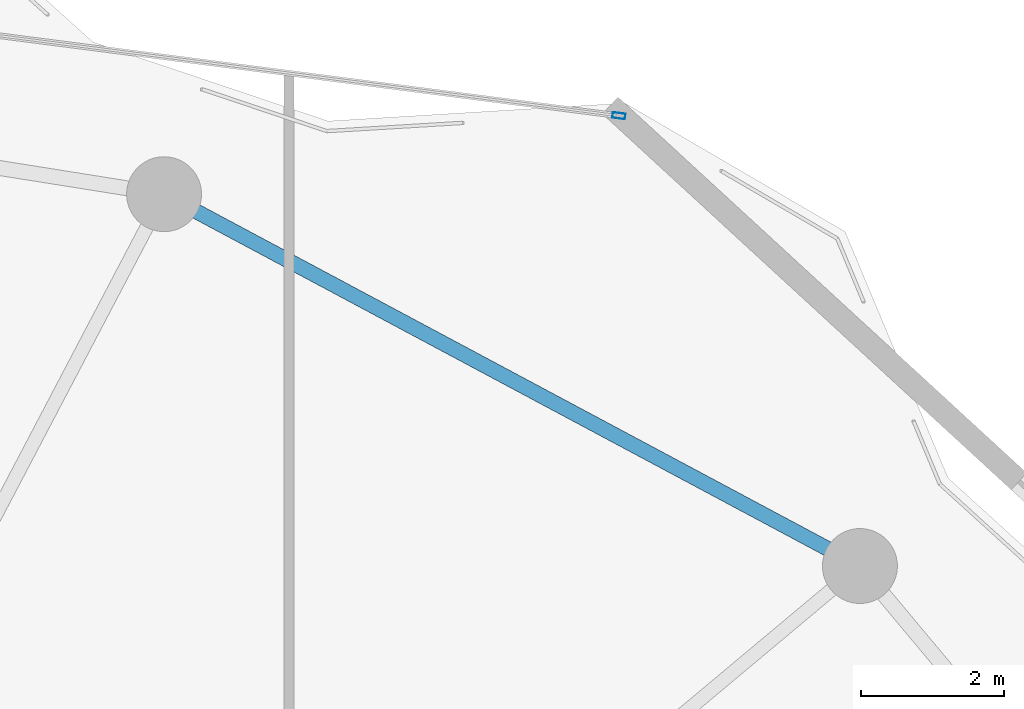
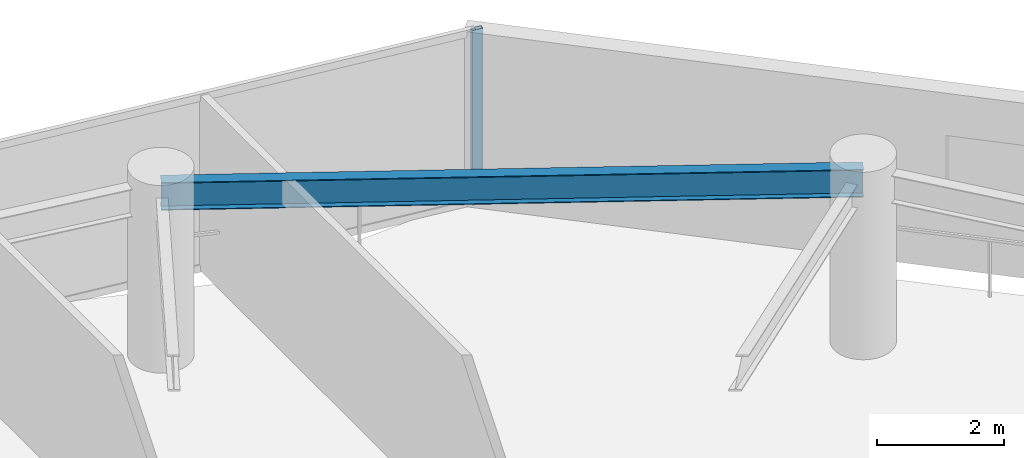
# One storey, part 23 of 31: 1 beam, 1 member, 1 element without a shape of its own.
"""IFC4 building model written with IfcOpenShell, lengths in metres."""

from ifc_helpers import new_model, si_unit, direction, frame, origin, origin_2d, place, context, subcontext, project, spatial, hollow_rectangle, i_section, extrude, material, layer, layer_set, material_profile, profile_set, type_object, element, aggregate, save


model = new_model("IFC4")

# Units and contexts
model_context = context("Model", 3, precision=1e-05, world=origin(), true_north=direction((0.0, 1.0)))
body_context = subcontext(model_context, "Body", "Model", "MODEL_VIEW")
ifc_project = project(units=[si_unit("LENGTHUNIT", "METRE"), si_unit("AREAUNIT", "SQUARE_METRE"), si_unit("VOLUMEUNIT", "CUBIC_METRE"), si_unit("PLANEANGLEUNIT", "RADIAN"), si_unit("MASSUNIT", "GRAM", prefix="KILO")], contexts=[model_context])

# Site, building, storey
site_placement = place(None, origin())
site = spatial("IfcSite", under=ifc_project, at=site_placement, CompositionType="ELEMENT")
building_placement = place(site_placement, origin())
building = spatial("IfcBuilding", under=site, at=building_placement, Name="Kazevale Care Tower and Concert Hall", CompositionType="ELEMENT")
storey_placement = place(building_placement, frame((0.0, 0.0, 238.800048828125)))
storey = spatial("IfcBuildingStorey", under=building, at=storey_placement, Name="L63", CompositionType="ELEMENT", Elevation=238.800048828125)

# Curtain wall, member
ifc_material_1 = material(Name="Aluminium 6063-T6 and Low-E Glass", Category="aluminium")
ifc_layer = layer(ifc_material_1, 0.179931640625)
ifc_layer_set = layer_set([ifc_layer], Name="Aluminium 6063-T6 and Low-E Glass")
curtain_wall_type = type_object("IfcCurtainWallType", Name="Waist & Upper Residential Curtain Wall CW-4", PredefinedType="NOTDEFINED", material=ifc_layer_set)
curtain_wall_placement = place(storey_placement, origin())
curtain_wall = element("IfcCurtainWall", 1, at=curtain_wall_placement, inside=storey, type_object=curtain_wall_type, Name="cw:L63:f16", PredefinedType="NOTDEFINED")
ifc_material_2 = material(Name="Aluminium 6063-T6", Category="aluminium")
ifc_material_profile_1 = material_profile(ifc_material_2, hollow_rectangle(XDim=0.080078125, YDim=0.179931640625, WallThickness=0.0048828125, at=origin_2d()), Name="ALU80x180x5")
ifc_profile_set_1 = profile_set([ifc_material_profile_1], Name="Aluminium 6063-T6")
member_type = type_object("IfcMemberType", Name="CW-4 Mullion ALU80x180x5", PredefinedType="MULLION", material=ifc_profile_set_1)
member_placement = place(storey_placement, frame((62.873291015625, 61.319091796875, 0.0), z_axis=(0.0, 0.0, 1.0), x_axis=(0.128098132904, 0.991761497713, 0.0)))
member = element("IfcMember", 2, at=member_placement, type_object=member_type, Name="CW-4 mullion 2", PredefinedType="MULLION", context=body_context, shape_type="SweptSolid", body=[
    extrude(hollow_rectangle(XDim=0.080078125, YDim=0.179931640625, WallThickness=0.0048828125, at=origin_2d()), origin(), (0.0, 0.0, 1.0), 3.35986328125),
])
aggregate(curtain_wall, [member])

# Beam
ifc_material_3 = material(Name="Steel ASTM A572 Gr 50", Category="steel")
ifc_material_profile_2 = material_profile(ifc_material_3, i_section(OverallWidth=0.208984375, OverallDepth=0.532958984375, WebThickness=0.01025390625, FlangeThickness=0.015625, at=origin_2d()), Name="W530x92")
ifc_profile_set_2 = profile_set([ifc_material_profile_2], Name="Steel ASTM A572 Gr 50")
beam_type = type_object("IfcBeamType", Name="Upper Ring Beam W530x92", PredefinedType="BEAM", material=ifc_profile_set_2)
beam_placement = place(storey_placement, frame((66.25, 55.010009765625, 3.093505859375), z_axis=(-0.881978519833, 0.471289603697, 0.0), x_axis=(-0.471289603697, -0.881978519833, 0.0)))
element("IfcBeam", 3, at=beam_placement, inside=storey, type_object=beam_type, Name="beam:L63:ring:03", PredefinedType="BEAM", context=body_context, shape_type="SweptSolid", body=[
    extrude(i_section(OverallWidth=0.208984375, OverallDepth=0.532958984375, WebThickness=0.01025390625, FlangeThickness=0.015625, at=origin_2d()), origin(), (0.0, 0.0, 1.0), 11.0546875),
])

save(model, "model.ifc")
